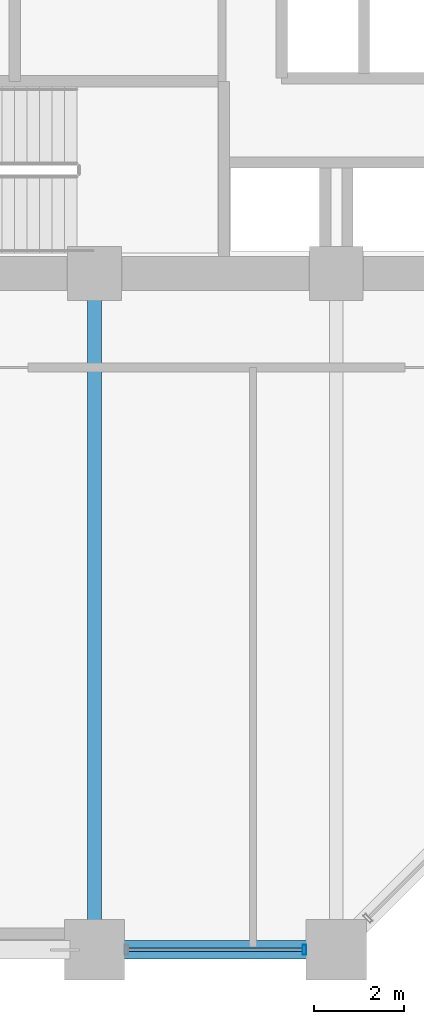
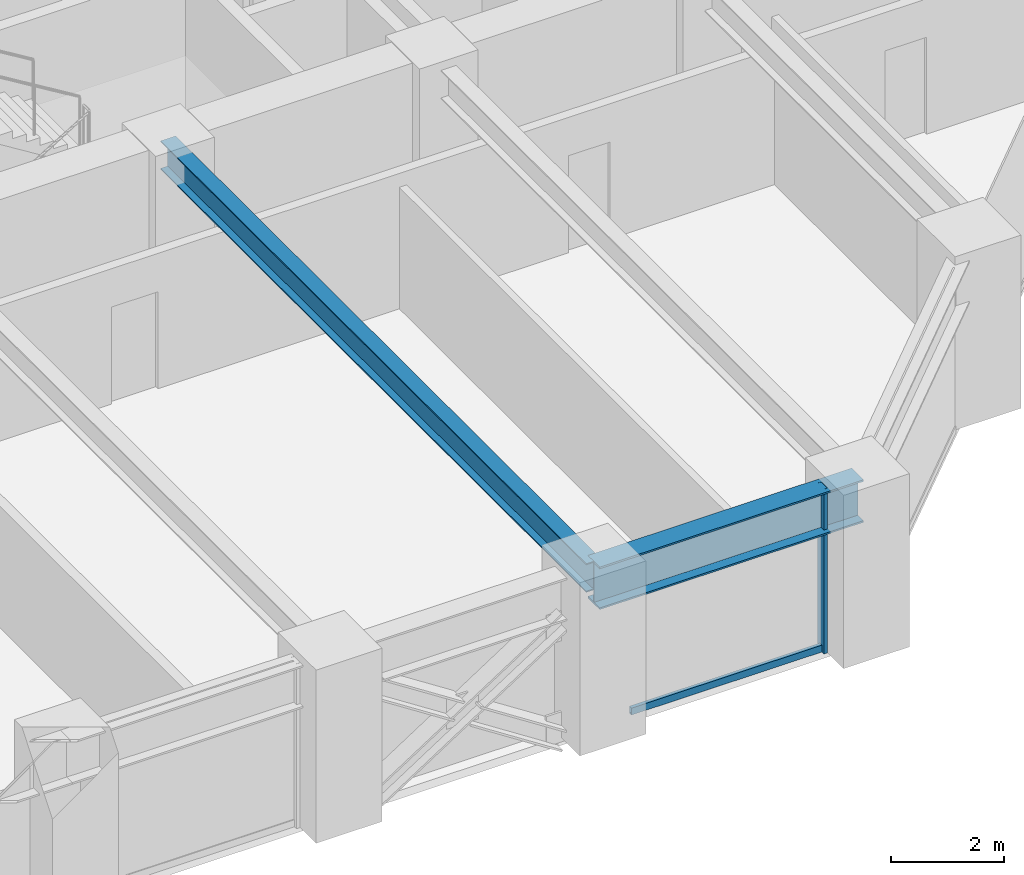
# One storey, part 5 of 25: 2 beams, 2 members, 1 element without a shape of its own.
"""IFC4 building model written with IfcOpenShell, lengths in metres."""

from ifc_helpers import new_model, si_unit, direction, frame, origin, origin_2d, place, context, subcontext, project, spatial, hollow_rectangle, i_section, extrude, material, layer, layer_set, material_profile, profile_set, type_object, element, aggregate, save


model = new_model("IFC4")

# Units and contexts
model_context = context("Model", 3, precision=1e-05, world=origin(), true_north=direction((0.0, 1.0)))
body_context = subcontext(model_context, "Body", "Model", "MODEL_VIEW")
ifc_project = project(units=[si_unit("LENGTHUNIT", "METRE"), si_unit("AREAUNIT", "SQUARE_METRE"), si_unit("VOLUMEUNIT", "CUBIC_METRE"), si_unit("PLANEANGLEUNIT", "RADIAN"), si_unit("MASSUNIT", "GRAM", prefix="KILO")], contexts=[model_context])

# Site, building, storey
site_placement = place(None, origin())
site = spatial("IfcSite", under=ifc_project, at=site_placement, CompositionType="ELEMENT")
building_placement = place(site_placement, origin())
building = spatial("IfcBuilding", under=site, at=building_placement, Name="Surkhivell Harbour Commons", CompositionType="ELEMENT")
storey_placement = place(building_placement, frame((0.0, 0.0, 45.0)))
storey = spatial("IfcBuildingStorey", under=building, at=storey_placement, Name="L11", CompositionType="ELEMENT", Elevation=45.0)

# Beams
ifc_material_1 = material(Name="Steel S355", Category="steel")
ifc_material_profile_1 = material_profile(ifc_material_1, i_section(OverallWidth=0.306884765625, OverallDepth=0.6201171875, WebThickness=0.01416015625, FlangeThickness=0.023681640625, at=origin_2d()), Name="UB610x305x179")
ifc_profile_set_1 = profile_set([ifc_material_profile_1], Name="Steel S355")
beam_type_1 = type_object("IfcBeamType", Name="BM-GRD-610A", PredefinedType="BEAM", material=ifc_profile_set_1)
beam_1_placement = place(storey_placement, frame((-5.39990234375, -25.89990234375, 3.260009765625), z_axis=(0.0, 1.0, 0.0), x_axis=(-1.0, 0.0, 0.0)))
element("IfcBeam", 1, at=beam_1_placement, inside=storey, type_object=beam_type_1, Name="L11 Floor Girder (-5.4,-25.9)", PredefinedType="BEAM", context=body_context, shape_type="SweptSolid", body=[
    extrude(i_section(OverallWidth=0.306884765625, OverallDepth=0.6201171875, WebThickness=0.01416015625, FlangeThickness=0.023681640625, at=origin_2d()), origin(), (0.0, 0.0, 1.0), 15.099853515625),
])
ifc_material_2 = material(Name="Steel S460", Category="steel")
ifc_material_profile_2 = material_profile(ifc_material_2, i_section(OverallWidth=0.419921875, OverallDepth=0.9208984375, WebThickness=0.021484375, FlangeThickness=0.03662109375, at=origin_2d()), Name="UB914x419x388")
ifc_profile_set_2 = profile_set([ifc_material_profile_2], Name="Steel S460")
beam_type_2 = type_object("IfcBeamType", Name="BM-SPN-914A", PredefinedType="SPANDREL", material=ifc_profile_set_2)
beam_2_placement = place(storey_placement, frame((-5.39990234375, -25.89990234375, 3.109619140625), z_axis=(1.0, 0.0, 0.0), x_axis=(0.0, 1.0, 0.0)))
element("IfcBeam", 2, at=beam_2_placement, inside=storey, type_object=beam_type_2, Name="L11 Tube Spandrel (-5.4,-25.9)", PredefinedType="SPANDREL", context=body_context, shape_type="SweptSolid", body=[
    extrude(i_section(OverallWidth=0.419921875, OverallDepth=0.9208984375, WebThickness=0.021484375, FlangeThickness=0.03662109375, at=origin_2d()), origin(), (0.0, 0.0, 1.0), 5.39990234375),
])

# Curtain wall, members
ifc_material_3 = material(Name="Anodised pale-metal aluminium and insulated glazing", Category="aluminium")
ifc_layer = layer(ifc_material_3, 0.219970703125)
ifc_layer_set = layer_set([ifc_layer], Name="Anodised pale-metal aluminium and insulated glazing")
curtain_wall_type = type_object("IfcCurtainWallType", Name="CW-SYS-Z1", PredefinedType="NOTDEFINED", material=ifc_layer_set)
curtain_wall_placement = place(storey_placement, origin())
curtain_wall = element("IfcCurtainWall", 3, at=curtain_wall_placement, inside=storey, type_object=curtain_wall_type, Name="L11 Curtain Wall CW-L11-E00S2", PredefinedType="NOTDEFINED")
ifc_material_4 = material(Name="Anodised pale-metal aluminium alloy 6063-T6", Category="aluminium")
ifc_material_profile_3 = material_profile(ifc_material_4, hollow_rectangle(XDim=0.074951171875, YDim=0.219970703125, WallThickness=0.00390625, at=origin_2d()), Name="ALU-MULL-75x220")
ifc_profile_set_3 = profile_set([ifc_material_profile_3], Name="Anodised pale-metal aluminium alloy 6063-T6")
member_type_1 = type_object("IfcMemberType", Name="CWM-220", PredefinedType="MULLION", material=ifc_profile_set_3)
member_1_placement = place(storey_placement, frame((-0.714599609375, -25.89990234375, 0.0), z_axis=(0.0, 0.0, 1.0), x_axis=(1.0, 0.0, 0.0)))
member_1 = element("IfcMember", 4, at=member_1_placement, type_object=member_type_1, Name="CW-Z1 mullion 2", PredefinedType="MULLION", context=body_context, shape_type="SweptSolid", body=[
    extrude(hollow_rectangle(XDim=0.074951171875, YDim=0.219970703125, WallThickness=0.00390625, at=origin_2d()), origin(), (0.0, 0.0, 1.0), 3.570068359375),
])
ifc_material_profile_4 = material_profile(ifc_material_4, hollow_rectangle(XDim=0.074951171875, YDim=0.14990234375, WallThickness=0.00341796875, at=origin_2d()), Name="ALU-TRAN-75x150")
ifc_profile_set_4 = profile_set([ifc_material_profile_4], Name="Anodised pale-metal aluminium alloy 6063-T6")
member_type_2 = type_object("IfcMemberType", Name="CWT-150", PredefinedType="USERDEFINED", material=ifc_profile_set_4)
member_2_placement = place(storey_placement, frame((-4.64794921875, -25.89990234375, 0.074951171875), z_axis=(1.0, 0.0, 0.0), x_axis=(0.0, 1.0, 0.0)))
member_2 = element("IfcMember", 5, at=member_2_placement, type_object=member_type_2, Name="CW-Z1 transom 1.1", ObjectType="TRANSOM", PredefinedType="USERDEFINED", context=body_context, shape_type="SweptSolid", body=[
    extrude(hollow_rectangle(XDim=0.074951171875, YDim=0.14990234375, WallThickness=0.00341796875, at=origin_2d()), origin(), (0.0, 0.0, 1.0), 3.89599609375),
])
aggregate(curtain_wall, [member_1, member_2])

save(model, "model.ifc")
